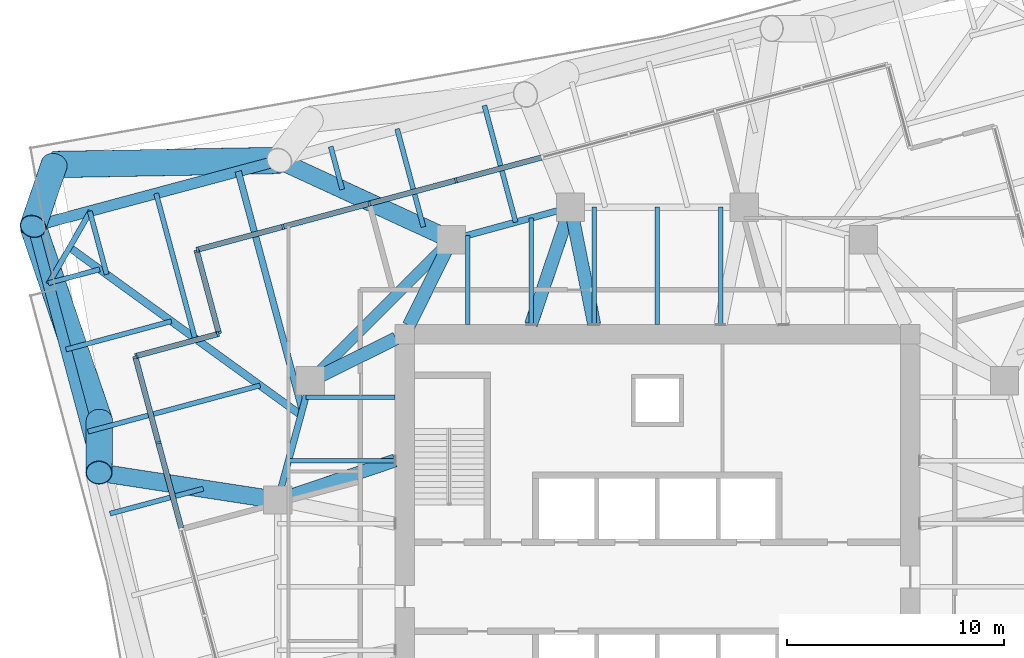
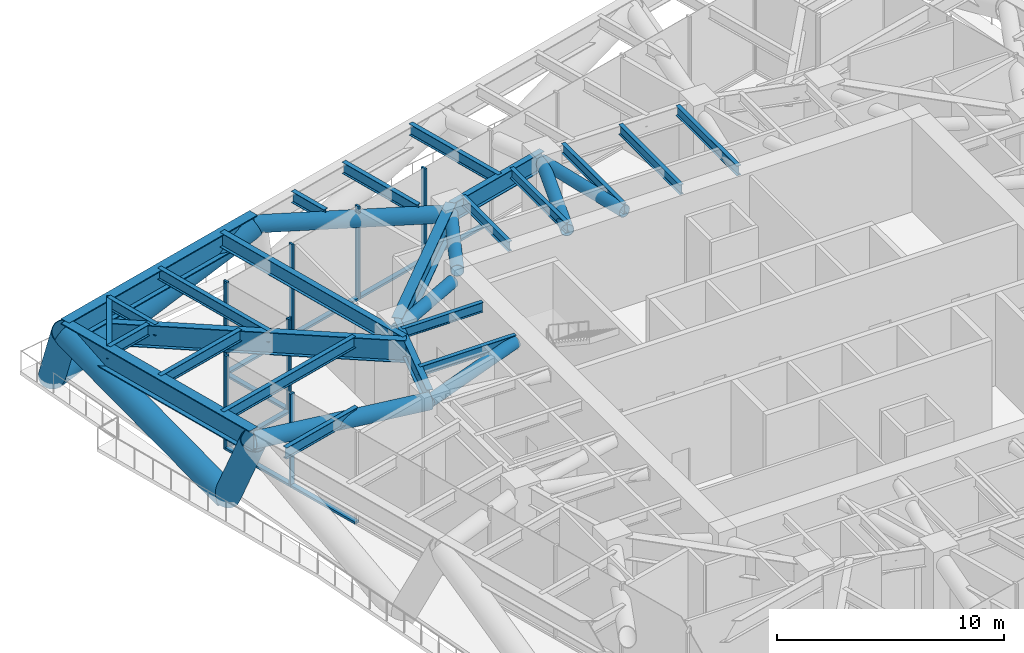
# One storey, part 5 of 14: 29 members, 24 beams, 4 elements without a shape of their own.
"""IFC4 building model written with IfcOpenShell, lengths in metres."""

from ifc_helpers import new_model, si_unit, direction, frame, origin, origin_2d, place, context, subcontext, project, spatial, rectangle, hollow_circle, i_section, extrude, material, material_profile, profile_set, type_object, element, aggregate, save


model = new_model("IFC4")

# Units and contexts
model_context = context("Model", 3, precision=1e-05, world=origin(), true_north=direction((0.0, 1.0)))
body_context = subcontext(model_context, "Body", "Model", "MODEL_VIEW")
ifc_project = project(units=[si_unit("LENGTHUNIT", "METRE"), si_unit("AREAUNIT", "SQUARE_METRE"), si_unit("VOLUMEUNIT", "CUBIC_METRE"), si_unit("PLANEANGLEUNIT", "RADIAN"), si_unit("MASSUNIT", "GRAM", prefix="KILO")], contexts=[model_context])

# Site, building, storey
site_placement = place(None, origin())
site = spatial("IfcSite", under=ifc_project, at=site_placement, CompositionType="ELEMENT")
building_placement = place(site_placement, origin())
building = spatial("IfcBuilding", under=site, at=building_placement, Name="Torsade Residences", CompositionType="ELEMENT")
storey_placement = place(building_placement, frame((0.0, 0.0, 106.60009765625)))
storey = spatial("IfcBuildingStorey", under=building, at=storey_placement, Name="L29", CompositionType="ELEMENT", Elevation=106.60009765625)

# Beams
ifc_material_1 = material(Name="Steel grade 300", Category="steel")
ifc_material_profile_1 = material_profile(ifc_material_1, i_section(OverallWidth=0.35009765625, OverallDepth=1.199951171875, WebThickness=0.01611328125, FlangeThickness=0.028076171875, at=origin_2d()), Name="1200WB278")
ifc_profile_set_1 = profile_set([ifc_material_profile_1], Name="Steel grade 300")
beam_type_1 = type_object("IfcBeamType", Name="CORNER GIRDER 1200WB278", PredefinedType="BEAM", material=ifc_profile_set_1)
beam_1_placement = place(storey_placement, frame((12.902587890625, 45.644775390625, 4.25), z_axis=(0.810028054936, -0.586391123924, 0.0), x_axis=(0.586391123924, 0.810028054936, 0.0)))
element("IfcBeam", 1, at=beam_1_placement, inside=storey, type_object=beam_type_1, Name="Corner girder 13 L30", PredefinedType="BEAM", context=body_context, shape_type="SweptSolid", body=[
    extrude(i_section(OverallWidth=0.35009765625, OverallDepth=1.199951171875, WebThickness=0.01611328125, FlangeThickness=0.028076171875, at=origin_2d()), origin(), (0.0, 0.0, 1.0), 13.1689453125),
])
ifc_material_2 = material(Name="Steel grade 300", Category="steel")
ifc_material_profile_2 = material_profile(ifc_material_2, i_section(OverallWidth=0.25, OverallDepth=0.699951171875, WebThickness=0.010009765625, FlangeThickness=0.02001953125, at=origin_2d()), Name="700WB130")
ifc_profile_set_2 = profile_set([ifc_material_profile_2], Name="Steel grade 300")
beam_type_2 = type_object("IfcBeamType", Name="CORNER TRIMMER 700WB130", PredefinedType="BEAM", material=ifc_profile_set_2)
beam_2_placement = place(storey_placement, frame((11.93017578125, 43.960693359375, 4.5), z_axis=(0.499994147244, 0.866028782848, 0.0), x_axis=(-0.866028782848, 0.499994147244, 0.0)))
element("IfcBeam", 2, at=beam_2_placement, inside=storey, type_object=beam_type_2, Name="Corner trimmer 13 L30", PredefinedType="BEAM", context=body_context, shape_type="SweptSolid", body=[
    extrude(i_section(OverallWidth=0.25, OverallDepth=0.699951171875, WebThickness=0.010009765625, FlangeThickness=0.02001953125, at=origin_2d()), origin(), (0.0, 0.0, 1.0), 3.88916015625),
])
ifc_material_3 = material(Name="Steel grade 300", Category="steel")
ifc_material_profile_3 = material_profile(ifc_material_3, i_section(OverallWidth=0.208984375, OverallDepth=0.528076171875, WebThickness=0.009521484375, FlangeThickness=0.01318359375, FilletRadius=0.013916015625, at=origin_2d()), Name="530UB82.0")
ifc_profile_set_3 = profile_set([ifc_material_profile_3], Name="Steel grade 300")
beam_type_3 = type_object("IfcBeamType", Name="INNER FLOOR BEAM 530UB82.0", PredefinedType="JOIST", material=ifc_profile_set_3)
beam_3_placement = place(storey_placement, frame((31.262451171875, 42.10009765625, 4.5859375), z_axis=(0.0, 1.0, 0.0), x_axis=(-1.0, 0.0, 0.0)))
element("IfcBeam", 3, at=beam_3_placement, inside=storey, type_object=beam_type_3, Name="Inner floor beam IN01 L30", PredefinedType="JOIST", context=body_context, shape_type="SweptSolid", body=[
    extrude(i_section(OverallWidth=0.208984375, OverallDepth=0.528076171875, WebThickness=0.009521484375, FlangeThickness=0.01318359375, FilletRadius=0.013916015625, at=origin_2d()), origin(), (0.0, 0.0, 1.0), 4.10791015625),
])
beam_4_placement = place(storey_placement, frame((34.175048828125, 42.10009765625, 4.5859375), z_axis=(0.0, 1.0, 0.0), x_axis=(-1.0, 0.0, 0.0)))
element("IfcBeam", 4, at=beam_4_placement, inside=storey, type_object=beam_type_3, Name="Inner floor beam IN02 L30", PredefinedType="JOIST", context=body_context, shape_type="SweptSolid", body=[
    extrude(i_section(OverallWidth=0.208984375, OverallDepth=0.528076171875, WebThickness=0.009521484375, FlangeThickness=0.01318359375, FilletRadius=0.013916015625, at=origin_2d()), origin(), (0.0, 0.0, 1.0), 4.902099609375),
])
for number, where, z_axis, x_axis, name in (
    (5, (37.08740234375, 42.10009765625, 4.5859375), (0.0, 1.0, 0.0), (-1.0, 0.0, 0.0), "Inner floor beam IN03 L30"),
    (6, (40.0, 42.10009765625, 4.5859375), (0.0, 1.0, 0.0), (-1.0, 0.0, 0.0), "Inner floor beam IN04 L30"),
    (7, (42.91259765625, 42.10009765625, 4.5859375), (0.0, 1.0, 0.0), (-1.0, 0.0, 0.0), "Inner floor beam IN05 L30"),
):
    element("IfcBeam", number, at=place(storey_placement, frame(where, z_axis=z_axis, x_axis=x_axis)), inside=storey, type_object=beam_type_3, Name=name, PredefinedType="JOIST", context=body_context, shape_type="SweptSolid", body=[
        extrude(i_section(OverallWidth=0.208984375, OverallDepth=0.528076171875, WebThickness=0.009521484375, FlangeThickness=0.01318359375, FilletRadius=0.013916015625, at=origin_2d()), origin(), (0.0, 0.0, 1.0), 5.39990234375),
    ])
beam_5_placement = place(storey_placement, frame((27.89990234375, 38.737548828125, 4.5859375), z_axis=(-1.0, 0.0, 0.0), x_axis=(0.0, -1.0, 0.0)))
element("IfcBeam", 8, at=beam_5_placement, inside=storey, type_object=beam_type_3, Name="Inner floor beam IW01 L30", PredefinedType="JOIST", context=body_context, shape_type="SweptSolid", body=[
    extrude(i_section(OverallWidth=0.208984375, OverallDepth=0.528076171875, WebThickness=0.009521484375, FlangeThickness=0.01318359375, FilletRadius=0.013916015625, at=origin_2d()), origin(), (0.0, 0.0, 1.0), 4.10791015625),
])
beam_6_placement = place(storey_placement, frame((27.89990234375, 35.824951171875, 4.5859375), z_axis=(-1.0, 0.0, 0.0), x_axis=(0.0, -1.0, 0.0)))
element("IfcBeam", 9, at=beam_6_placement, inside=storey, type_object=beam_type_3, Name="Inner floor beam IW02 L30", PredefinedType="JOIST", context=body_context, shape_type="SweptSolid", body=[
    extrude(i_section(OverallWidth=0.208984375, OverallDepth=0.528076171875, WebThickness=0.009521484375, FlangeThickness=0.01318359375, FilletRadius=0.013916015625, at=origin_2d()), origin(), (0.0, 0.0, 1.0), 4.902099609375),
])
ifc_material_4 = material(Name="Steel grade 300", Category="steel")
ifc_material_profile_4 = material_profile(ifc_material_4, i_section(OverallWidth=0.5, OverallDepth=1.199951171875, WebThickness=0.01611328125, FlangeThickness=0.0400390625, at=origin_2d()), Name="1200WB455")
ifc_profile_set_4 = profile_set([ifc_material_profile_4], Name="Steel grade 300")
beam_type_4 = type_object("IfcBeamType", Name="RING CORNER GIRDER 1200WB455", PredefinedType="BEAM", material=ifc_profile_set_4)
beam_7_placement = place(storey_placement, frame((30.5, 46.0, 4.25), z_axis=(-0.707106781187, -0.707106781187, 0.0), x_axis=(0.707106781187, -0.707106781187, 0.0)))
element("IfcBeam", 10, at=beam_7_placement, inside=storey, type_object=beam_type_4, Name="Ring girder IR07 L30", PredefinedType="BEAM", context=body_context, shape_type="SweptSolid", body=[
    extrude(i_section(OverallWidth=0.5, OverallDepth=1.199951171875, WebThickness=0.01611328125, FlangeThickness=0.0400390625, at=origin_2d()), origin(), (0.0, 0.0, 1.0), 9.1923828125),
])
ifc_material_5 = material(Name="Steel grade 300", Category="steel")
ifc_material_profile_5 = material_profile(ifc_material_5, i_section(OverallWidth=0.300048828125, OverallDepth=1.0, WebThickness=0.01611328125, FlangeThickness=0.028076171875, at=origin_2d()), Name="1000WB215")
ifc_profile_set_5 = profile_set([ifc_material_profile_5], Name="Steel grade 300")
beam_type_5 = type_object("IfcBeamType", Name="RING GIRDER 1000WB215", PredefinedType="BEAM", material=ifc_profile_set_5)
for number, where, z_axis, x_axis, name in (
    (11, (36.0, 47.5, 4.349853515625), (-0.964763821238, -0.263117405792, 0.0), (0.263117405792, -0.964763821238, 0.0), "Ring girder IR06 L30"),
    (12, (24.0, 39.5, 4.349853515625), (-0.263117405792, -0.964763821238, 0.0), (0.964763821238, -0.263117405792, 0.0), "Ring girder IR08 L30"),
):
    element("IfcBeam", number, at=place(storey_placement, frame(where, z_axis=z_axis, x_axis=x_axis)), inside=storey, type_object=beam_type_5, Name=name, PredefinedType="BEAM", context=body_context, shape_type="SweptSolid", body=[
        extrude(i_section(OverallWidth=0.300048828125, OverallDepth=1.0, WebThickness=0.01611328125, FlangeThickness=0.028076171875, at=origin_2d()), origin(), (0.0, 0.0, 1.0), 5.700927734375),
    ])
ifc_material_6 = material(Name="Steel grade 300", Category="steel")
ifc_material_profile_6 = material_profile(ifc_material_6, i_section(OverallWidth=0.22900390625, OverallDepth=0.612060546875, WebThickness=0.011962890625, FlangeThickness=0.01953125, FilletRadius=0.013916015625, at=origin_2d()), Name="610UB125")
ifc_profile_set_6 = profile_set([ifc_material_profile_6], Name="Steel grade 300")
beam_type_6 = type_object("IfcBeamType", Name="SECONDARY BEAM 610UB125", PredefinedType="JOIST", material=ifc_profile_set_6)
beam_8_placement = place(storey_placement, frame((32.026123046875, 52.1923828125, 4.5439453125), z_axis=(0.258829517553, -0.965923020144, 0.0), x_axis=(0.965923020144, 0.258829517553, 0.0)))
element("IfcBeam", 13, at=beam_8_placement, inside=storey, type_object=beam_type_6, Name="Floor beam FN07 L30", PredefinedType="JOIST", context=body_context, shape_type="SweptSolid", body=[
    extrude(i_section(OverallWidth=0.22900390625, OverallDepth=0.612060546875, WebThickness=0.011962890625, FlangeThickness=0.01953125, FilletRadius=0.013916015625, at=origin_2d()), origin(), (0.0, 0.0, 1.0), 5.57275390625),
])
beam_9_placement = place(storey_placement, frame((28.00146484375, 51.114013671875, 4.5439453125), z_axis=(0.258815185258, -0.965926860523, 0.0), x_axis=(0.965926860523, 0.258815185258, 0.0)))
element("IfcBeam", 14, at=beam_9_placement, inside=storey, type_object=beam_type_6, Name="Floor beam FN08 L30", PredefinedType="JOIST", context=body_context, shape_type="SweptSolid", body=[
    extrude(i_section(OverallWidth=0.22900390625, OverallDepth=0.612060546875, WebThickness=0.011962890625, FlangeThickness=0.01953125, FilletRadius=0.013916015625, at=origin_2d()), origin(), (0.0, 0.0, 1.0), 4.6796875),
])
beam_10_placement = place(storey_placement, frame((24.942626953125, 50.29443359375, 4.5439453125), z_axis=(0.258791773706, -0.965933133225, 0.0), x_axis=(0.965933133225, 0.258791773706, 0.0)))
element("IfcBeam", 15, at=beam_10_placement, inside=storey, type_object=beam_type_6, Name="Floor beam FN09 L30", PredefinedType="JOIST", context=body_context, shape_type="SweptSolid", body=[
    extrude(i_section(OverallWidth=0.22900390625, OverallDepth=0.612060546875, WebThickness=0.011962890625, FlangeThickness=0.01953125, FilletRadius=0.013916015625, at=origin_2d()), origin(), (0.0, 0.0, 1.0), 2.045166015625),
])
beam_11_placement = place(storey_placement, frame((16.893310546875, 48.137451171875, 4.5439453125), z_axis=(0.258823180318, -0.965924718252, 0.0), x_axis=(0.965924718252, 0.258823180318, 0.0)))
element("IfcBeam", 16, at=beam_11_placement, inside=storey, type_object=beam_type_6, Name="Floor beam FN11 L30", PredefinedType="JOIST", context=body_context, shape_type="SweptSolid", body=[
    extrude(i_section(OverallWidth=0.22900390625, OverallDepth=0.612060546875, WebThickness=0.011962890625, FlangeThickness=0.01953125, FilletRadius=0.013916015625, at=origin_2d()), origin(), (0.0, 0.0, 1.0), 6.912353515625),
])
beam_12_placement = place(storey_placement, frame((13.83447265625, 47.31787109375, 4.5439453125), z_axis=(0.258826461598, -0.965923839014, 0.0), x_axis=(0.965923839014, 0.258826461598, 0.0)))
element("IfcBeam", 17, at=beam_12_placement, inside=storey, type_object=beam_type_6, Name="Floor beam FN12 L30", PredefinedType="JOIST", context=body_context, shape_type="SweptSolid", body=[
    extrude(i_section(OverallWidth=0.22900390625, OverallDepth=0.612060546875, WebThickness=0.011962890625, FlangeThickness=0.01953125, FilletRadius=0.013916015625, at=origin_2d()), origin(), (0.0, 0.0, 1.0), 3.015625),
])
beam_13_placement = place(storey_placement, frame((11.91943359375, 44.0009765625, 4.5439453125), z_axis=(0.965934311205, 0.258787376889, 0.0), x_axis=(-0.258787376889, 0.965934311205, 0.0)))
element("IfcBeam", 18, at=beam_13_placement, inside=storey, type_object=beam_type_6, Name="Floor beam FW01 L30", PredefinedType="JOIST", context=body_context, shape_type="SweptSolid", body=[
    extrude(i_section(OverallWidth=0.22900390625, OverallDepth=0.612060546875, WebThickness=0.011962890625, FlangeThickness=0.01953125, FilletRadius=0.013916015625, at=origin_2d()), origin(), (0.0, 0.0, 1.0), 2.45849609375),
])
beam_14_placement = place(storey_placement, frame((12.739013671875, 40.942138671875, 4.5439453125), z_axis=(0.965920980166, 0.258837130403, 0.0), x_axis=(-0.258837130403, 0.965920980166, 0.0)))
element("IfcBeam", 19, at=beam_14_placement, inside=storey, type_object=beam_type_6, Name="Floor beam FW02 L30", PredefinedType="JOIST", context=body_context, shape_type="SweptSolid", body=[
    extrude(i_section(OverallWidth=0.22900390625, OverallDepth=0.612060546875, WebThickness=0.011962890625, FlangeThickness=0.01953125, FilletRadius=0.013916015625, at=origin_2d()), origin(), (0.0, 0.0, 1.0), 5.031982421875),
])
beam_15_placement = place(storey_placement, frame((13.752685546875, 37.158935546875, 4.5439453125), z_axis=(0.965924969282, 0.258822243477, 0.0), x_axis=(-0.258822243477, 0.965924969282, 0.0)))
element("IfcBeam", 20, at=beam_15_placement, inside=storey, type_object=beam_type_6, Name="Floor beam FW03 L30", PredefinedType="JOIST", context=body_context, shape_type="SweptSolid", body=[
    extrude(i_section(OverallWidth=0.22900390625, OverallDepth=0.612060546875, WebThickness=0.011962890625, FlangeThickness=0.01953125, FilletRadius=0.013916015625, at=origin_2d()), origin(), (0.0, 0.0, 1.0), 8.215087890625),
])
beam_16_placement = place(storey_placement, frame((14.766357421875, 33.375732421875, 4.5439453125), z_axis=(0.965921124784, 0.258836590722, 0.0), x_axis=(-0.258836590722, 0.965921124784, 0.0)))
element("IfcBeam", 21, at=beam_16_placement, inside=storey, type_object=beam_type_6, Name="Floor beam FW04 L30", PredefinedType="JOIST", context=body_context, shape_type="SweptSolid", body=[
    extrude(i_section(OverallWidth=0.22900390625, OverallDepth=0.612060546875, WebThickness=0.011962890625, FlangeThickness=0.01953125, FilletRadius=0.013916015625, at=origin_2d()), origin(), (0.0, 0.0, 1.0), 4.451904296875),
])
ifc_material_7 = material(Name="Steel grade 300", Category="steel")
ifc_material_profile_7 = material_profile(ifc_material_7, i_section(OverallWidth=0.300048828125, OverallDepth=0.800048828125, WebThickness=0.010009765625, FlangeThickness=0.02001953125, at=origin_2d()), Name="800WB146")
ifc_profile_set_7 = profile_set([ifc_material_profile_7], Name="Steel grade 300")
beam_type_7 = type_object("IfcBeamType", Name="SECONDARY BEAM 800WB146", PredefinedType="JOIST", material=ifc_profile_set_7)
beam_17_placement = place(storey_placement, frame((20.676513671875, 49.1513671875, 4.449951171875), z_axis=(0.258807068179, -0.965929035417, 0.0), x_axis=(0.965929035417, 0.258807068179, 0.0)))
element("IfcBeam", 22, at=beam_17_placement, inside=storey, type_object=beam_type_7, Name="Floor beam FN10 L30", PredefinedType="JOIST", context=body_context, shape_type="SweptSolid", body=[
    extrude(i_section(OverallWidth=0.300048828125, OverallDepth=0.800048828125, WebThickness=0.010009765625, FlangeThickness=0.02001953125, at=origin_2d()), origin(), (0.0, 0.0, 1.0), 11.40380859375),
])

# Members
ifc_material_8 = material(Name="Steel grade 450", Category="steel")
ifc_material_profile_8 = material_profile(ifc_material_8, hollow_circle(Radius=0.304931640625, WallThickness=0.01611328125, at=origin_2d()), Name="610.0x16.0CHS")
ifc_profile_set_8 = profile_set([ifc_material_profile_8], Name="Steel grade 450")
member_type_1 = type_object("IfcMemberType", Name="TRANSFER FLOOR BRACE 610.0x16.0CHS", PredefinedType="BRACE", material=ifc_profile_set_8)
member_1_placement = place(storey_placement, frame((36.0, 47.5, 4.25), z_axis=(0.197299340721, -0.97976354245, 0.033710102894), x_axis=(0.980320704809, 0.197411538983, 0.0)))
element("IfcMember", 23, at=member_1_placement, inside=storey, type_object=member_type_1, Name="Transfer floor brace TT3 top IR06IN03", PredefinedType="BRACE", context=body_context, shape_type="SweptSolid", body=[
    extrude(hollow_circle(Radius=0.304931640625, WallThickness=0.01611328125, at=origin_2d()), origin(), (0.0, 0.0, 1.0), 5.511474609375),
])
member_2_placement = place(storey_placement, frame((36.0, 47.5, 4.25), z_axis=(-0.319999920944, -0.946857291164, 0.032577918373), x_axis=(0.947360151124, -0.320169867513, 0.0)))
element("IfcMember", 24, at=member_2_placement, inside=storey, type_object=member_type_1, Name="Transfer floor brace TT3 top IR06IN02", PredefinedType="BRACE", context=body_context, shape_type="SweptSolid", body=[
    extrude(hollow_circle(Radius=0.304931640625, WallThickness=0.01611328125, at=origin_2d()), origin(), (0.0, 0.0, 1.0), 5.702880859375),
])
for number, where, z_axis, x_axis, name in (
    (25, (30.5, 46.0, 4.25), (-0.443105036702, -0.896469701914, 0.0), (0.896469701914, -0.443105036702, 0.0), "Transfer floor brace TT3 top IR07C"),
    (26, (24.0, 39.5, 4.25), (0.896469701914, 0.443105036702, 0.0), (-0.443105036702, 0.896469701914, 0.0), "Transfer floor brace TT3 top IR08C"),
):
    element("IfcMember", number, at=place(storey_placement, frame(where, z_axis=z_axis, x_axis=x_axis)), inside=storey, type_object=member_type_1, Name=name, PredefinedType="BRACE", context=body_context, shape_type="SweptSolid", body=[
        extrude(hollow_circle(Radius=0.304931640625, WallThickness=0.01611328125, at=origin_2d()), origin(), (0.0, 0.0, 1.0), 4.40234375),
    ])
member_3_placement = place(storey_placement, frame((22.5, 34.0, 4.25), z_axis=(0.946857291164, 0.319999920944, 0.032577918373), x_axis=(-0.320169867513, 0.947360151124, 0.0)))
element("IfcMember", 27, at=member_3_placement, inside=storey, type_object=member_type_1, Name="Transfer floor brace TT3 top IR09IW02", PredefinedType="BRACE", context=body_context, shape_type="SweptSolid", body=[
    extrude(hollow_circle(Radius=0.304931640625, WallThickness=0.01611328125, at=origin_2d()), origin(), (0.0, 0.0, 1.0), 5.702880859375),
])
ifc_material_9 = material(Name="Steel grade 450", Category="steel")
ifc_material_profile_9 = material_profile(ifc_material_9, hollow_circle(Radius=0.406494140625, WallThickness=0.02490234375, at=origin_2d()), Name="813.0x25.0CHS")
ifc_profile_set_9 = profile_set([ifc_material_profile_9], Name="Steel grade 450")
member_type_2 = type_object("IfcMemberType", Name="TRANSFER FLOOR STRUT 813.0x25.0CHS", PredefinedType="STRUT", material=ifc_profile_set_9)
member_4_placement = place(storey_placement, frame((22.568115234375, 49.658203125, 4.25), z_axis=(0.908075513562, -0.418806472813, 0.0), x_axis=(0.418806472813, 0.908075513562, 0.0)))
element("IfcMember", 28, at=member_4_placement, inside=storey, type_object=member_type_2, Name="Transfer floor strut TT3 top 12IR07", PredefinedType="STRUT", context=body_context, shape_type="SweptSolid", body=[
    extrude(hollow_circle(Radius=0.406494140625, WallThickness=0.02490234375, at=origin_2d()), origin(), (0.0, 0.0, 1.0), 8.73486328125),
])
member_5_placement = place(storey_placement, frame((14.259521484375, 35.267333984375, 4.25), z_axis=(0.98837948251, -0.152006574044, 0.0), x_axis=(0.152006574044, 0.98837948251, 0.0)))
element("IfcMember", 29, at=member_5_placement, inside=storey, type_object=member_type_2, Name="Transfer floor strut TT3 top 14IR09", PredefinedType="STRUT", context=body_context, shape_type="SweptSolid", body=[
    extrude(hollow_circle(Radius=0.406494140625, WallThickness=0.02490234375, at=origin_2d()), origin(), (0.0, 0.0, 1.0), 8.33740234375),
])

# Curtain wall, members
ifc_material_10 = material(Name="Aluminium and glass", Category="aluminium")
curtain_wall_type = type_object("IfcCurtainWallType", Name="TRANSFER LEVEL CURTAIN WALL LOW ZONE", PredefinedType="NOTDEFINED", material=ifc_material_10)
curtain_wall_1_placement = place(storey_placement, origin())
curtain_wall_1 = element("IfcCurtainWall", 30, at=curtain_wall_1_placement, inside=storey, type_object=curtain_wall_type, Name="Curtain wall L29 face 7", PredefinedType="NOTDEFINED")
ifc_material_11 = material(Name="Aluminium mullion", Category="aluminium")
ifc_material_profile_10 = material_profile(ifc_material_11, rectangle(XDim=0.25, YDim=0.10009765625, at=origin_2d()), Name="TRANSFER LEVEL CURTAIN WALL MULLION 250x100")
ifc_profile_set_10 = profile_set([ifc_material_profile_10], Name="Aluminium mullion")
member_type_3 = type_object("IfcMemberType", Name="TRANSFER LEVEL CURTAIN WALL MULLION 250x100", PredefinedType="MULLION", material=ifc_profile_set_10)
member_6_placement = place(storey_placement, frame((30.709716796875, 48.73388671875, 0.0), z_axis=(0.0, 0.0, 1.0), x_axis=(0.258819054021, -0.965925823899, 0.0)))
member_6 = element("IfcMember", 31, at=member_6_placement, type_object=member_type_3, Name="Mullion 6", PredefinedType="MULLION", context=body_context, shape_type="SweptSolid", body=[
    extrude(rectangle(XDim=0.25, YDim=0.10009765625, at=origin_2d()), origin(), (0.0, 0.0, 1.0), 5.0),
])
member_7_placement = place(storey_placement, frame((26.725341796875, 47.666259765625, 0.0), z_axis=(0.0, 0.0, 1.0), x_axis=(0.258819054021, -0.965925823899, 0.0)))
member_7 = element("IfcMember", 32, at=member_7_placement, type_object=member_type_3, Name="Mullion 7", PredefinedType="MULLION", context=body_context, shape_type="SweptSolid", body=[
    extrude(rectangle(XDim=0.25, YDim=0.10009765625, at=origin_2d()), origin(), (0.0, 0.0, 1.0), 5.0),
])
member_8_placement = place(storey_placement, frame((22.740966796875, 46.5986328125, 0.0), z_axis=(0.0, 0.0, 1.0), x_axis=(0.258819054021, -0.965925823899, 0.0)))
member_8 = element("IfcMember", 33, at=member_8_placement, type_object=member_type_3, Name="Mullion 8", PredefinedType="MULLION", context=body_context, shape_type="SweptSolid", body=[
    extrude(rectangle(XDim=0.25, YDim=0.10009765625, at=origin_2d()), origin(), (0.0, 0.0, 1.0), 5.0),
])
member_9_placement = place(storey_placement, frame((18.8046875, 45.5439453125, 0.0), z_axis=(0.0, 0.0, 1.0), x_axis=(0.258819054021, -0.965925823899, 0.0)))
member_9 = element("IfcMember", 34, at=member_9_placement, type_object=member_type_3, Name="Mullion 9", PredefinedType="MULLION", context=body_context, shape_type="SweptSolid", body=[
    extrude(rectangle(XDim=0.25, YDim=0.10009765625, at=origin_2d()), origin(), (0.0, 0.0, 1.0), 5.0),
])

curtain_wall_2_placement = place(storey_placement, origin())
curtain_wall_2 = element("IfcCurtainWall", 35, at=curtain_wall_2_placement, inside=storey, type_object=curtain_wall_type, Name="Curtain wall L29 face 8", PredefinedType="NOTDEFINED")
member_10_placement = place(storey_placement, frame((18.769287109375, 45.482666015625, 0.0), z_axis=(0.0, 0.0, 1.0), x_axis=(0.965925769954, 0.258819255346, 0.0)))
member_10 = element("IfcMember", 36, at=member_10_placement, type_object=member_type_3, Name="Mullion 1", PredefinedType="MULLION", context=body_context, shape_type="SweptSolid", body=[
    extrude(rectangle(XDim=0.25, YDim=0.10009765625, at=origin_2d()), origin(), (0.0, 0.0, 1.0), 5.0),
])
member_11_placement = place(storey_placement, frame((19.77880859375, 41.715576171875, 0.0), z_axis=(0.0, 0.0, 1.0), x_axis=(0.965925769954, 0.258819255346, 0.0)))
member_11 = element("IfcMember", 37, at=member_11_placement, type_object=member_type_3, Name="Mullion 2", PredefinedType="MULLION", context=body_context, shape_type="SweptSolid", body=[
    extrude(rectangle(XDim=0.25, YDim=0.10009765625, at=origin_2d()), origin(), (0.0, 0.0, 1.0), 5.0),
])

curtain_wall_3_placement = place(storey_placement, origin())
curtain_wall_3 = element("IfcCurtainWall", 38, at=curtain_wall_3_placement, inside=storey, type_object=curtain_wall_type, Name="Curtain wall L29 face 9", PredefinedType="NOTDEFINED")
member_12_placement = place(storey_placement, frame((19.743408203125, 41.654296875, 0.0), z_axis=(0.0, 0.0, 1.0), x_axis=(0.258818959596, -0.965925849201, 0.0)))
member_12 = element("IfcMember", 39, at=member_12_placement, type_object=member_type_3, Name="Mullion 1", PredefinedType="MULLION", context=body_context, shape_type="SweptSolid", body=[
    extrude(rectangle(XDim=0.25, YDim=0.10009765625, at=origin_2d()), origin(), (0.0, 0.0, 1.0), 5.0),
])
member_13_placement = place(storey_placement, frame((15.976318359375, 40.64501953125, 0.0), z_axis=(0.0, 0.0, 1.0), x_axis=(0.258818959596, -0.965925849201, 0.0)))
member_13 = element("IfcMember", 40, at=member_13_placement, type_object=member_type_3, Name="Mullion 2", PredefinedType="MULLION", context=body_context, shape_type="SweptSolid", body=[
    extrude(rectangle(XDim=0.25, YDim=0.10009765625, at=origin_2d()), origin(), (0.0, 0.0, 1.0), 5.0),
])

curtain_wall_4_placement = place(storey_placement, origin())
curtain_wall_4 = element("IfcCurtainWall", 41, at=curtain_wall_4_placement, inside=storey, type_object=curtain_wall_type, Name="Curtain wall L29 face 10", PredefinedType="NOTDEFINED")
member_14_placement = place(storey_placement, frame((15.94091796875, 40.583740234375, 0.0), z_axis=(0.0, 0.0, 1.0), x_axis=(0.965925823899, 0.258819054021, 0.0)))
member_14 = element("IfcMember", 42, at=member_14_placement, type_object=member_type_3, Name="Mullion 1", PredefinedType="MULLION", context=body_context, shape_type="SweptSolid", body=[
    extrude(rectangle(XDim=0.25, YDim=0.10009765625, at=origin_2d()), origin(), (0.0, 0.0, 1.0), 5.0),
])
member_15_placement = place(storey_placement, frame((16.99560546875, 36.6474609375, 0.0), z_axis=(0.0, 0.0, 1.0), x_axis=(0.965925823899, 0.258819054021, 0.0)))
member_15 = element("IfcMember", 43, at=member_15_placement, type_object=member_type_3, Name="Mullion 2", PredefinedType="MULLION", context=body_context, shape_type="SweptSolid", body=[
    extrude(rectangle(XDim=0.25, YDim=0.10009765625, at=origin_2d()), origin(), (0.0, 0.0, 1.0), 5.0),
])

# Member
ifc_material_12 = material(Name="Aluminium transom", Category="aluminium")
ifc_material_profile_11 = material_profile(ifc_material_12, rectangle(XDim=0.25, YDim=0.1201171875, at=origin_2d()), Name="TRANSFER LEVEL CURTAIN WALL TRANSOM 250x120")
ifc_profile_set_11 = profile_set([ifc_material_profile_11], Name="Aluminium transom")
member_type_4 = type_object("IfcMemberType", Name="TRANSFER LEVEL CURTAIN WALL TRANSOM 250x120", PredefinedType="USERDEFINED", material=ifc_profile_set_11)
member_16_placement = place(storey_placement, frame((34.64599609375, 49.78857421875, 0.059814453125), z_axis=(-0.965927204495, -0.258813901512, 0.0), x_axis=(0.258813901512, -0.965927204495, 0.0)))
member_16 = element("IfcMember", 44, at=member_16_placement, type_object=member_type_4, Name="Transom 5.1", ObjectType="TRANSOM", PredefinedType="USERDEFINED", context=body_context, shape_type="SweptSolid", body=[
    extrude(rectangle(XDim=0.25, YDim=0.1201171875, at=origin_2d()), origin(), (0.0, 0.0, 1.0), 4.025146484375),
])

member_17_placement = place(storey_placement, frame((30.661376953125, 48.720947265625, 0.059814453125), z_axis=(-0.965923141201, -0.258829065781, 0.0), x_axis=(0.258829065781, -0.965923141201, 0.0)))
member_17 = element("IfcMember", 45, at=member_17_placement, type_object=member_type_4, Name="Transom 6.1", ObjectType="TRANSOM", PredefinedType="USERDEFINED", context=body_context, shape_type="SweptSolid", body=[
    extrude(rectangle(XDim=0.25, YDim=0.1201171875, at=origin_2d()), origin(), (0.0, 0.0, 1.0), 4.02490234375),
])

member_18_placement = place(storey_placement, frame((26.677001953125, 47.6533203125, 0.059814453125), z_axis=(-0.965927204495, -0.258813901512, 0.0), x_axis=(0.258813901512, -0.965927204495, 0.0)))
member_18 = element("IfcMember", 46, at=member_18_placement, type_object=member_type_4, Name="Transom 7.1", ObjectType="TRANSOM", PredefinedType="USERDEFINED", context=body_context, shape_type="SweptSolid", body=[
    extrude(rectangle(XDim=0.25, YDim=0.1201171875, at=origin_2d()), origin(), (0.0, 0.0, 1.0), 4.025146484375),
])

member_19_placement = place(storey_placement, frame((22.692626953125, 46.585693359375, 0.059814453125), z_axis=(-0.965926393629, -0.258816927752, 0.0), x_axis=(0.258816927752, -0.965926393629, 0.0)))
member_19 = element("IfcMember", 47, at=member_19_placement, type_object=member_type_4, Name="Transom 8.1", ObjectType="TRANSOM", PredefinedType="USERDEFINED", context=body_context, shape_type="SweptSolid", body=[
    extrude(rectangle(XDim=0.25, YDim=0.1201171875, at=origin_2d()), origin(), (0.0, 0.0, 1.0), 3.97509765625),
])

aggregate(curtain_wall_1, [member_6, member_7, member_8, member_9, member_16, member_17, member_18, member_19])

member_20_placement = place(storey_placement, frame((18.7822265625, 45.434326171875, 0.059814453125), z_axis=(0.258858119419, -0.96591535551, 0.0), x_axis=(0.96591535551, 0.258858119419, 0.0)))
member_20 = element("IfcMember", 48, at=member_20_placement, type_object=member_type_4, Name="Transom 1.1", ObjectType="TRANSOM", PredefinedType="USERDEFINED", context=body_context, shape_type="SweptSolid", body=[
    extrude(rectangle(XDim=0.25, YDim=0.1201171875, at=origin_2d()), origin(), (0.0, 0.0, 1.0), 3.800048828125),
])

aggregate(curtain_wall_2, [member_10, member_11, member_20])

member_21_placement = place(storey_placement, frame((19.695068359375, 41.641357421875, 0.059814453125), z_axis=(-0.96593141835, -0.258798174346, 0.0), x_axis=(0.258798174346, -0.96593141835, 0.0)))
member_21 = element("IfcMember", 49, at=member_21_placement, type_object=member_type_4, Name="Transom 1.1", ObjectType="TRANSOM", PredefinedType="USERDEFINED", context=body_context, shape_type="SweptSolid", body=[
    extrude(rectangle(XDim=0.25, YDim=0.1201171875, at=origin_2d()), origin(), (0.0, 0.0, 1.0), 3.7998046875),
])

aggregate(curtain_wall_3, [member_12, member_13, member_21])

member_22_placement = place(storey_placement, frame((15.953857421875, 40.535400390625, 0.059814453125), z_axis=(0.258816927752, -0.965926393629, 0.0), x_axis=(0.965926393629, 0.258816927752, 0.0)))
member_22 = element("IfcMember", 50, at=member_22_placement, type_object=member_type_4, Name="Transom 1.1", ObjectType="TRANSOM", PredefinedType="USERDEFINED", context=body_context, shape_type="SweptSolid", body=[
    extrude(rectangle(XDim=0.25, YDim=0.1201171875, at=origin_2d()), origin(), (0.0, 0.0, 1.0), 3.97509765625),
])

member_23_placement = place(storey_placement, frame((17.008544921875, 36.599365234375, 0.059814453125), z_axis=(0.258813901512, -0.965927204495, 0.0), x_axis=(0.965927204495, 0.258813901512, 0.0)))
member_23 = element("IfcMember", 51, at=member_23_placement, type_object=member_type_4, Name="Transom 2.1", ObjectType="TRANSOM", PredefinedType="USERDEFINED", context=body_context, shape_type="SweptSolid", body=[
    extrude(rectangle(XDim=0.25, YDim=0.1201171875, at=origin_2d()), origin(), (0.0, 0.0, 1.0), 4.025146484375),
])

aggregate(curtain_wall_4, [member_14, member_15, member_22, member_23])

# Beams
ifc_material_13 = material(Name="Steel grade 350", Category="steel")
ifc_material_profile_12 = material_profile(ifc_material_13, i_section(OverallWidth=0.5, OverallDepth=1.199951171875, WebThickness=0.031982421875, FlangeThickness=0.050048828125, at=origin_2d()), Name="1200x500x50x32WPG")
ifc_profile_set_12 = profile_set([ifc_material_profile_12], Name="Steel grade 350")
beam_type_8 = type_object("IfcBeamType", Name="TRANSFER TRUSS CHORD 1200x500x50x32WPG", PredefinedType="USERDEFINED", material=ifc_profile_set_12)
for number, where, z_axis, x_axis, name in (
    (52, (22.568115234375, 49.658203125, 4.25), (-0.965922824118, -0.258830249097, 0.0), (0.258830249097, -0.965922824118, 0.0), "Transfer truss TT3 top chord 12"),
    (53, (11.218505859375, 46.616943359375, 4.25), (0.258810863021, -0.965928018634, 0.0), (0.965928018634, 0.258810863021, 0.0), "Transfer truss TT3 top chord 13"),
):
    element("IfcBeam", number, at=place(storey_placement, frame(where, z_axis=z_axis, x_axis=x_axis)), inside=storey, type_object=beam_type_8, Name=name, ObjectType="TRANSFER TRUSS CHORD", PredefinedType="USERDEFINED", context=body_context, shape_type="SweptSolid", body=[
        extrude(i_section(OverallWidth=0.5, OverallDepth=1.199951171875, WebThickness=0.031982421875, FlangeThickness=0.050048828125, at=origin_2d()), origin(), (0.0, 0.0, 1.0), 11.75),
    ])

# Members
ifc_material_14 = material(Name="Steel grade 450", Category="steel")
ifc_material_profile_13 = material_profile(ifc_material_14, hollow_circle(Radius=0.609619140625, WallThickness=0.0400390625, at=origin_2d()), Name="1219.0x40.0CHS")
ifc_profile_set_13 = profile_set([ifc_material_profile_13], Name="Steel grade 450")
member_type_5 = type_object("IfcMemberType", Name="TRANSFER TRUSS DIAGONAL 1219.0x40.0CHS", PredefinedType="BRACE", material=ifc_profile_set_13)
member_24_placement = place(storey_placement, frame((12.197021484375, 49.4677734375, -0.2001953125), z_axis=(0.918839585468, 0.016871348321, 0.394270432296), x_axis=(-0.018358487421, 0.999831468768, 0.0)))
element("IfcMember", 54, at=member_24_placement, inside=storey, type_object=member_type_5, Name="Transfer truss TT3 diagonal 12", PredefinedType="BRACE", context=body_context, shape_type="SweptSolid", body=[
    extrude(hollow_circle(Radius=0.609619140625, WallThickness=0.0400390625, at=origin_2d()), origin(), (0.0, 0.0, 1.0), 11.287109375),
])
member_25_placement = place(storey_placement, frame((14.28076171875, 37.650146484375, -0.2001953125), z_axis=(-0.292526846333, 0.856567488808, 0.425111963243), x_axis=(-0.946336210326, -0.323183813062, 0.0)))
element("IfcMember", 55, at=member_25_placement, inside=storey, type_object=member_type_5, Name="Transfer truss TT3 diagonal 13", PredefinedType="BRACE", context=body_context, shape_type="SweptSolid", body=[
    extrude(hollow_circle(Radius=0.609619140625, WallThickness=0.0400390625, at=origin_2d()), origin(), (0.0, 0.0, 1.0), 10.46826171875),
])
ifc_material_15 = material(Name="Steel grade 450", Category="steel")
ifc_material_profile_14 = material_profile(ifc_material_15, hollow_circle(Radius=0.609619140625, WallThickness=0.031982421875, at=origin_2d()), Name="1219.0x32.0CHS")
ifc_profile_set_14 = profile_set([ifc_material_profile_14], Name="Steel grade 450")
member_type_6 = type_object("IfcMemberType", Name="TRANSFER TRUSS RAKING STRUT 1219.0x32.0CHS", PredefinedType="STRUT", material=ifc_profile_set_14)
member_26_placement = place(storey_placement, frame((12.197021484375, 49.4677734375, -0.2001953125), z_axis=(-0.182054654349, -0.530402245217, 0.827967125615), x_axis=(0.945835129862, -0.324647358096, 0.0)))
element("IfcMember", 56, at=member_26_placement, inside=storey, type_object=member_type_6, Name="Transfer truss TT3 raking strut 13", PredefinedType="STRUT", context=body_context, shape_type="SweptSolid", body=[
    extrude(hollow_circle(Radius=0.609619140625, WallThickness=0.031982421875, at=origin_2d()), origin(), (0.0, 0.0, 1.0), 5.374755859375),
])
member_27_placement = place(storey_placement, frame((14.28076171875, 37.650146484375, -0.2001953125), z_axis=(-0.004207638469, -0.472029327114, 0.881572804777), x_axis=(0.999960273254, -0.008913580305, 0.0)))
element("IfcMember", 57, at=member_27_placement, inside=storey, type_object=member_type_6, Name="Transfer truss TT3 raking strut 14", PredefinedType="STRUT", context=body_context, shape_type="SweptSolid", body=[
    extrude(hollow_circle(Radius=0.609619140625, WallThickness=0.031982421875, at=origin_2d()), origin(), (0.0, 0.0, 1.0), 5.048095703125),
])

save(model, "model.ifc")
